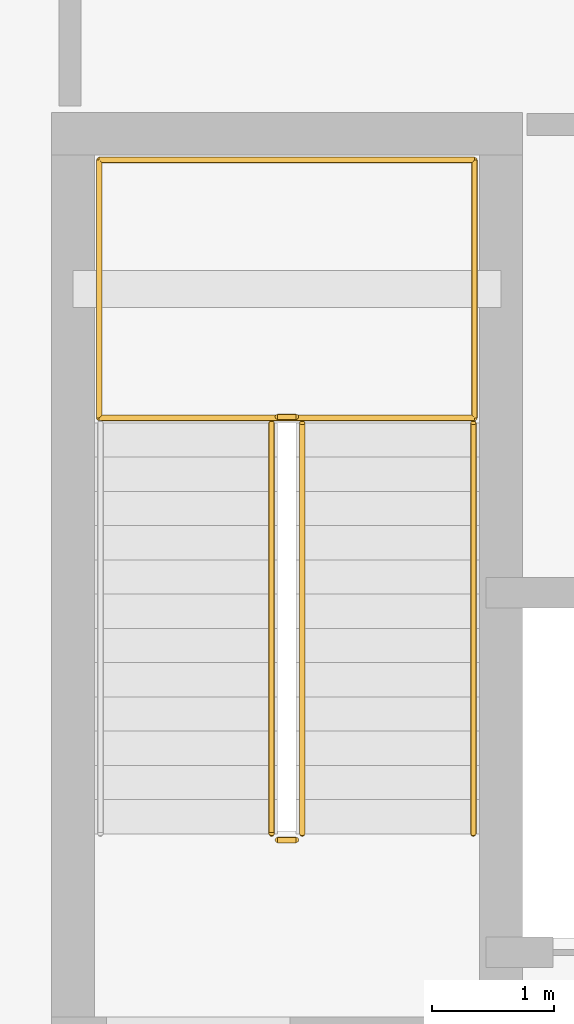
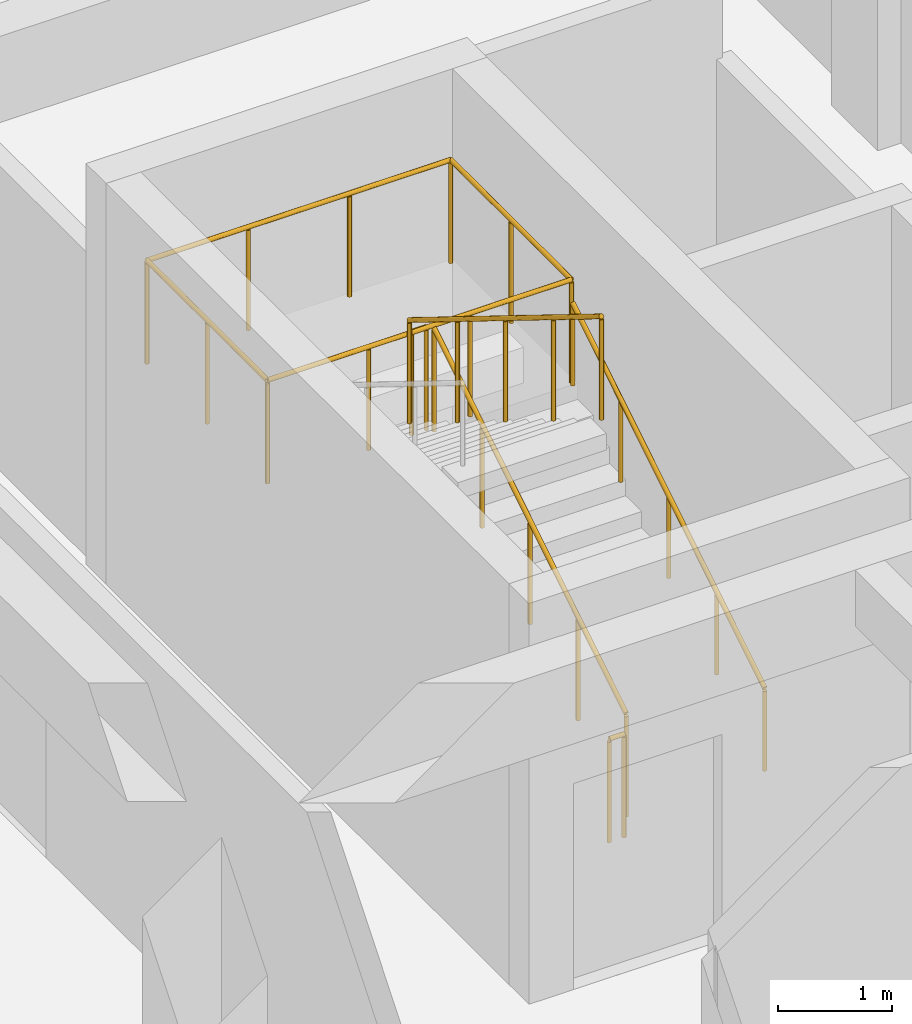
# One storey, part 52 of 54: 7 railings.
"""IFC4 building model written with IfcOpenShell, lengths in metres."""

from ifc_helpers import new_model, si_unit, direction, frame, origin, origin_2d, place, context, subcontext, project, spatial, circle, extrude, material, type_object, element, save


model = new_model("IFC4")

# Units and contexts
model_context = context("Model", 3, precision=1e-05, world=origin(), true_north=direction((0.0, 1.0)))
body_context = subcontext(model_context, "Body", "Model", "MODEL_VIEW")
ifc_project = project(units=[si_unit("LENGTHUNIT", "METRE"), si_unit("AREAUNIT", "SQUARE_METRE"), si_unit("VOLUMEUNIT", "CUBIC_METRE"), si_unit("PLANEANGLEUNIT", "RADIAN"), si_unit("MASSUNIT", "GRAM", prefix="KILO")], contexts=[model_context])

# Site, building, storey
site_placement = place(None, origin())
site = spatial("IfcSite", under=ifc_project, at=site_placement, CompositionType="ELEMENT")
building_placement = place(site_placement, origin())
building = spatial("IfcBuilding", under=site, at=building_placement, Name="Miralva Faculty of Natural Sciences", CompositionType="ELEMENT")
storey_placement = place(building_placement, frame((0.0, 0.0, 19.5)))
storey = spatial("IfcBuildingStorey", under=building, at=storey_placement, Name="L04", CompositionType="ELEMENT", Elevation=19.5)

# Railings
ifc_material = material(Name="Steel S355", Category="steel")
railing_type_1 = type_object("IfcRailingType", Name="RL-GR01", PredefinedType="GUARDRAIL", material=ifc_material)
railing_1_placement = place(storey_placement, frame((15.300048828125, 67.89990234375, 0.173095703125)))
element("IfcRailing", 1, at=railing_1_placement, inside=storey, type_object=railing_type_1, Name="Stair Core C2 safety guard L04-1", PredefinedType="GUARDRAIL", context=body_context, shape_type="SweptSolid", body=[
    extrude(circle(Radius=0.02392578125, at=origin_2d()), frame((0.0, 0.0, 1.09619140625), z_axis=(0.0, 0.850623216509, 0.525775754039), x_axis=(-1.0, 0.0, 0.0)), (0.0, 0.0, 1.0), 3.9501953125),
    extrude(circle(Radius=0.02099609375, at=origin_2d()), origin(), (0.0, 0.0, 1.0), 1.072021484375),
    extrude(circle(Radius=0.02099609375, at=origin_2d()), frame((0.0, 0.840087890625, 0.519287109375)), (0.0, 0.0, 1.0), 1.072021484375),
    extrude(circle(Radius=0.02099609375, at=origin_2d()), frame((0.0, 1.68017578125, 1.03857421875)), (0.0, 0.0, 1.0), 1.072021484375),
    extrude(circle(Radius=0.02099609375, at=origin_2d()), frame((0.0, 2.52001953125, 1.5576171875)), (0.0, 0.0, 1.0), 1.072021484375),
    extrude(circle(Radius=0.02099609375, at=origin_2d()), frame((0.0, 3.360107421875, 2.076904296875)), (0.0, 0.0, 1.0), 1.072021484375),
])
railing_2_placement = place(storey_placement, frame((15.25, 71.31005859375, 2.25)))
element("IfcRailing", 2, at=railing_2_placement, inside=storey, type_object=railing_type_1, Name="Stair Core C2 safety guard L04-2", PredefinedType="GUARDRAIL", context=body_context, shape_type="SweptSolid", body=[
    extrude(circle(Radius=0.02392578125, at=origin_2d()), frame((0.0, 0.0, 1.09619140625), z_axis=(-1.0, 0.0, 0.0), x_axis=(0.0, -1.0, 0.0)), (0.0, 0.0, 1.0), 0.14990234375),
    extrude(circle(Radius=0.02099609375, at=origin_2d()), origin(), (0.0, 0.0, 1.0), 1.072021484375),
    extrude(circle(Radius=0.02099609375, at=origin_2d()), frame((-0.14990234375, 0.0, 0.0)), (0.0, 0.0, 1.0), 1.072021484375),
])
railing_3_placement = place(storey_placement, frame((15.050048828125, 71.260009765625, 2.423095703125)))
element("IfcRailing", 3, at=railing_3_placement, inside=storey, type_object=railing_type_1, Name="Stair Core C2 safety guard L04-3", PredefinedType="GUARDRAIL", context=body_context, shape_type="SweptSolid", body=[
    extrude(circle(Radius=0.02392578125, at=origin_2d()), frame((0.0, 0.0, 1.09619140625), z_axis=(0.0, -0.850623216509, 0.525775754039), x_axis=(1.0, 0.0, 0.0)), (0.0, 0.0, 1.0), 3.9501953125),
    extrude(circle(Radius=0.02099609375, at=origin_2d()), origin(), (0.0, 0.0, 1.0), 1.072021484375),
    extrude(circle(Radius=0.02099609375, at=origin_2d()), frame((0.0, -0.840087890625, 0.519287109375)), (0.0, 0.0, 1.0), 1.072021484375),
    extrude(circle(Radius=0.02099609375, at=origin_2d()), frame((0.0, -1.68017578125, 1.03857421875)), (0.0, 0.0, 1.0), 1.072021484375),
    extrude(circle(Radius=0.02099609375, at=origin_2d()), frame((0.0, -2.52001953125, 1.5576171875)), (0.0, 0.0, 1.0), 1.072021484375),
    extrude(circle(Radius=0.02099609375, at=origin_2d()), frame((0.0, -3.360107421875, 2.076904296875)), (0.0, 0.0, 1.0), 1.072021484375),
])
railing_4_placement = place(storey_placement, frame((15.25, 67.85009765625, 0.0)))
element("IfcRailing", 4, at=railing_4_placement, inside=storey, type_object=railing_type_1, Name="Stair Core C2 safety guard L04-4", PredefinedType="GUARDRAIL", context=body_context, shape_type="SweptSolid", body=[
    extrude(circle(Radius=0.02392578125, at=origin_2d()), frame((0.0, 0.0, 1.09619140625), z_axis=(-1.0, 0.0, 0.0), x_axis=(0.0, -1.0, 0.0)), (0.0, 0.0, 1.0), 0.14990234375),
    extrude(circle(Radius=0.02099609375, at=origin_2d()), origin(), (0.0, 0.0, 1.0), 1.072021484375),
    extrude(circle(Radius=0.02099609375, at=origin_2d()), frame((-0.14990234375, 0.0, 0.0)), (0.0, 0.0, 1.0), 1.072021484375),
])
railing_5_placement = place(storey_placement, frame((13.639892578125, 71.300048828125, 2.25)))
element("IfcRailing", 5, at=railing_5_placement, inside=storey, type_object=railing_type_1, Name="Stair Core C2 half-landing guard L04-1A", PredefinedType="GUARDRAIL", context=body_context, shape_type="SweptSolid", body=[
    extrude(circle(Radius=0.02392578125, at=origin_2d()), frame((0.0, 0.0, 1.09619140625), z_axis=(0.0, 1.0, 0.0), x_axis=(-1.0, 0.0, 0.0)), (0.0, 0.0, 1.0), 2.10986328125),
    extrude(circle(Radius=0.02392578125, at=origin_2d()), frame((0.0, 2.10986328125, 1.09619140625), z_axis=(1.0, 0.0, 0.0), x_axis=(0.0, 1.0, 0.0)), (0.0, 0.0, 1.0), 3.070068359375),
    extrude(circle(Radius=0.02099609375, at=origin_2d()), origin(), (0.0, 0.0, 1.0), 1.072021484375),
    extrude(circle(Radius=0.02099609375, at=origin_2d()), frame((0.0, 1.054931640625, 0.0)), (0.0, 0.0, 1.0), 1.072021484375),
    extrude(circle(Radius=0.02099609375, at=origin_2d()), frame((0.0, 2.10986328125, 0.0)), (0.0, 0.0, 1.0), 1.072021484375),
    extrude(circle(Radius=0.02099609375, at=origin_2d()), frame((1.0234375, 2.10986328125, 0.0)), (0.0, 0.0, 1.0), 1.072021484375),
    extrude(circle(Radius=0.02099609375, at=origin_2d()), frame((2.046630859375, 2.10986328125, 0.0)), (0.0, 0.0, 1.0), 1.072021484375),
    extrude(circle(Radius=0.02099609375, at=origin_2d()), frame((3.070068359375, 2.10986328125, 0.0)), (0.0, 0.0, 1.0), 1.072021484375),
])
railing_6_placement = place(storey_placement, frame((16.7099609375, 73.409912109375, 2.25)))
element("IfcRailing", 6, at=railing_6_placement, inside=storey, type_object=railing_type_1, Name="Stair Core C2 half-landing guard L04-1B", PredefinedType="GUARDRAIL", context=body_context, shape_type="SweptSolid", body=[
    extrude(circle(Radius=0.02392578125, at=origin_2d()), frame((0.0, 0.0, 1.09619140625), z_axis=(0.0, -1.0, 0.0), x_axis=(1.0, 0.0, 0.0)), (0.0, 0.0, 1.0), 2.10986328125),
    extrude(circle(Radius=0.02392578125, at=origin_2d()), frame((0.0, -2.10986328125, 1.09619140625), z_axis=(-1.0, 0.0, 0.0), x_axis=(0.0, -1.0, 0.0)), (0.0, 0.0, 1.0), 3.070068359375),
    extrude(circle(Radius=0.02099609375, at=origin_2d()), origin(), (0.0, 0.0, 1.0), 1.072021484375),
    extrude(circle(Radius=0.02099609375, at=origin_2d()), frame((0.0, -1.054931640625, 0.0)), (0.0, 0.0, 1.0), 1.072021484375),
    extrude(circle(Radius=0.02099609375, at=origin_2d()), frame((0.0, -2.10986328125, 0.0)), (0.0, 0.0, 1.0), 1.072021484375),
    extrude(circle(Radius=0.02099609375, at=origin_2d()), frame((-1.0234375, -2.10986328125, 0.0)), (0.0, 0.0, 1.0), 1.072021484375),
    extrude(circle(Radius=0.02099609375, at=origin_2d()), frame((-2.046630859375, -2.10986328125, 0.0)), (0.0, 0.0, 1.0), 1.072021484375),
    extrude(circle(Radius=0.02099609375, at=origin_2d()), frame((-3.070068359375, -2.10986328125, 0.0)), (0.0, 0.0, 1.0), 1.072021484375),
])
railing_type_2 = type_object("IfcRailingType", Name="RL-HR01", PredefinedType="HANDRAIL", material=ifc_material)
railing_7_placement = place(storey_placement, frame((16.699951171875, 67.89990234375, 0.173095703125)))
element("IfcRailing", 7, at=railing_7_placement, inside=storey, type_object=railing_type_2, Name="Stair Core C2 handrail L04-1", PredefinedType="HANDRAIL", context=body_context, shape_type="SweptSolid", body=[
    extrude(circle(Radius=0.02392578125, at=origin_2d()), frame((0.0, 0.0, 0.8759765625), z_axis=(0.0, 0.850623216509, 0.525775754039), x_axis=(-1.0, 0.0, 0.0)), (0.0, 0.0, 1.0), 3.9501953125),
    extrude(circle(Radius=0.02099609375, at=origin_2d()), origin(), (0.0, 0.0, 1.0), 0.851806640625),
    extrude(circle(Radius=0.02099609375, at=origin_2d()), frame((0.0, 0.840087890625, 0.519287109375)), (0.0, 0.0, 1.0), 0.851806640625),
    extrude(circle(Radius=0.02099609375, at=origin_2d()), frame((0.0, 1.68017578125, 1.03857421875)), (0.0, 0.0, 1.0), 0.851806640625),
    extrude(circle(Radius=0.02099609375, at=origin_2d()), frame((0.0, 2.52001953125, 1.5576171875)), (0.0, 0.0, 1.0), 0.851806640625),
    extrude(circle(Radius=0.02099609375, at=origin_2d()), frame((0.0, 3.360107421875, 2.076904296875)), (0.0, 0.0, 1.0), 0.851806640625),
])

save(model, "model.ifc")
